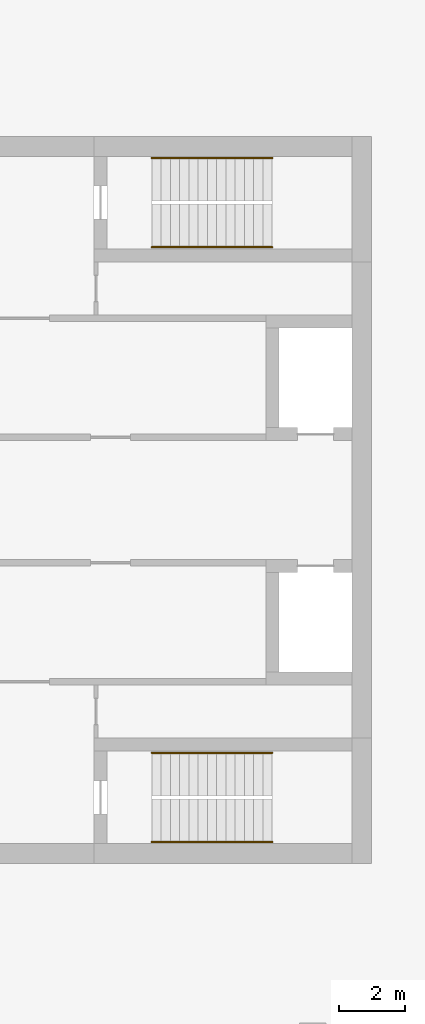
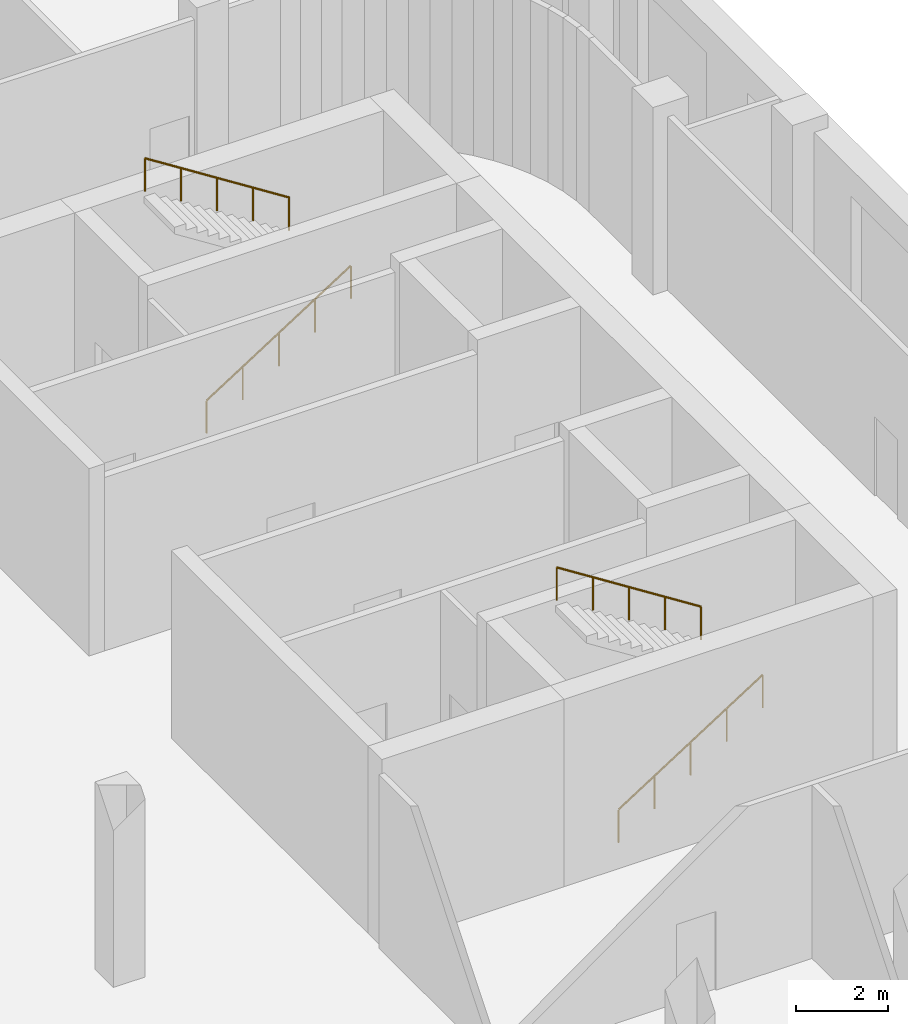
# One storey, part 18 of 18: 4 railings.
"""IFC4 building model written with IfcOpenShell, lengths in metres."""

from ifc_helpers import new_model, si_unit, direction, frame, origin, origin_2d, place, context, subcontext, project, spatial, circle, extrude, material, type_object, element, save


model = new_model("IFC4")

# Units and contexts
model_context = context("Model", 3, precision=1e-05, world=origin(), true_north=direction((0.0, 1.0)))
body_context = subcontext(model_context, "Body", "Model", "MODEL_VIEW")
ifc_project = project(units=[si_unit("LENGTHUNIT", "METRE"), si_unit("AREAUNIT", "SQUARE_METRE"), si_unit("VOLUMEUNIT", "CUBIC_METRE"), si_unit("PLANEANGLEUNIT", "RADIAN"), si_unit("MASSUNIT", "GRAM", prefix="KILO")], contexts=[model_context])

# Site, building, storey
site_placement = place(None, origin())
site = spatial("IfcSite", under=ifc_project, at=site_placement, CompositionType="ELEMENT")
building_placement = place(site_placement, origin())
building = spatial("IfcBuilding", under=site, at=building_placement, Name="Skarvind Civic Tower", CompositionType="ELEMENT")
storey_placement = place(building_placement, frame((0.0, 0.0, 22.5)))
storey = spatial("IfcBuildingStorey", under=building, at=storey_placement, Name="L04", CompositionType="ELEMENT", Elevation=22.5)

# Railings
ifc_material = material(Name="Painted steel handrail", Category="steel")
railing_type = type_object("IfcRailingType", Name="Stair handrail 900", PredefinedType="HANDRAIL", material=ifc_material)
railing_1_placement = place(storey_placement, frame((160.35009765625, 135.64990234375, 0.178466796875)))
element("IfcRailing", 1, at=railing_1_placement, inside=storey, type_object=railing_type, Name="Stair handrail", PredefinedType="HANDRAIL", context=body_context, shape_type="SweptSolid", body=[
    extrude(circle(Radius=0.02392578125, at=origin_2d()), frame((0.0, 0.0, 0.8759765625), z_axis=(0.843111507901, 0.0, 0.53773877045), x_axis=(0.0, 1.0, 0.0)), (0.0, 0.0, 1.0), 4.317138671875),
    extrude(circle(Radius=0.02099609375, at=origin_2d()), origin(), (0.0, 0.0, 1.0), 0.851806640625),
    extrude(circle(Radius=0.02099609375, at=origin_2d()), frame((0.909912109375, 0.0, 0.580322265625)), (0.0, 0.0, 1.0), 0.851806640625),
    extrude(circle(Radius=0.02099609375, at=origin_2d()), frame((1.81982421875, 0.0, 1.16064453125)), (0.0, 0.0, 1.0), 0.851806640625),
    extrude(circle(Radius=0.02099609375, at=origin_2d()), frame((2.72998046875, 0.0, 1.7412109375)), (0.0, 0.0, 1.0), 0.851806640625),
    extrude(circle(Radius=0.02099609375, at=origin_2d()), frame((3.639892578125, 0.0, 2.321533203125)), (0.0, 0.0, 1.0), 0.851806640625),
])
railing_2_placement = place(storey_placement, frame((163.989990234375, 138.35009765625, 2.678466796875)))
element("IfcRailing", 2, at=railing_2_placement, inside=storey, type_object=railing_type, Name="Stair handrail", PredefinedType="HANDRAIL", context=body_context, shape_type="SweptSolid", body=[
    extrude(circle(Radius=0.02392578125, at=origin_2d()), frame((0.0, 0.0, 0.8759765625), z_axis=(-0.843111507901, 0.0, 0.53773877045), x_axis=(0.0, -1.0, 0.0)), (0.0, 0.0, 1.0), 4.317138671875),
    extrude(circle(Radius=0.02099609375, at=origin_2d()), origin(), (0.0, 0.0, 1.0), 0.851806640625),
    extrude(circle(Radius=0.02099609375, at=origin_2d()), frame((-0.909912109375, 0.0, 0.580322265625)), (0.0, 0.0, 1.0), 0.851806640625),
    extrude(circle(Radius=0.02099609375, at=origin_2d()), frame((-1.81982421875, 0.0, 1.16064453125)), (0.0, 0.0, 1.0), 0.851806640625),
    extrude(circle(Radius=0.02099609375, at=origin_2d()), frame((-2.72998046875, 0.0, 1.7412109375)), (0.0, 0.0, 1.0), 0.851806640625),
    extrude(circle(Radius=0.02099609375, at=origin_2d()), frame((-3.639892578125, 0.0, 2.321533203125)), (0.0, 0.0, 1.0), 0.851806640625),
])
railing_3_placement = place(storey_placement, frame((160.35009765625, 117.64990234375, 0.178466796875)))
element("IfcRailing", 3, at=railing_3_placement, inside=storey, type_object=railing_type, Name="Stair handrail", PredefinedType="HANDRAIL", context=body_context, shape_type="SweptSolid", body=[
    extrude(circle(Radius=0.02392578125, at=origin_2d()), frame((0.0, 0.0, 0.8759765625), z_axis=(0.843111507901, 0.0, 0.53773877045), x_axis=(0.0, 1.0, 0.0)), (0.0, 0.0, 1.0), 4.317138671875),
    extrude(circle(Radius=0.02099609375, at=origin_2d()), origin(), (0.0, 0.0, 1.0), 0.851806640625),
    extrude(circle(Radius=0.02099609375, at=origin_2d()), frame((0.909912109375, 0.0, 0.580322265625)), (0.0, 0.0, 1.0), 0.851806640625),
    extrude(circle(Radius=0.02099609375, at=origin_2d()), frame((1.81982421875, 0.0, 1.16064453125)), (0.0, 0.0, 1.0), 0.851806640625),
    extrude(circle(Radius=0.02099609375, at=origin_2d()), frame((2.72998046875, 0.0, 1.7412109375)), (0.0, 0.0, 1.0), 0.851806640625),
    extrude(circle(Radius=0.02099609375, at=origin_2d()), frame((3.639892578125, 0.0, 2.321533203125)), (0.0, 0.0, 1.0), 0.851806640625),
])
railing_4_placement = place(storey_placement, frame((163.989990234375, 120.35009765625, 2.678466796875)))
element("IfcRailing", 4, at=railing_4_placement, inside=storey, type_object=railing_type, Name="Stair handrail", PredefinedType="HANDRAIL", context=body_context, shape_type="SweptSolid", body=[
    extrude(circle(Radius=0.02392578125, at=origin_2d()), frame((0.0, 0.0, 0.8759765625), z_axis=(-0.843111507901, 0.0, 0.53773877045), x_axis=(0.0, -1.0, 0.0)), (0.0, 0.0, 1.0), 4.317138671875),
    extrude(circle(Radius=0.02099609375, at=origin_2d()), origin(), (0.0, 0.0, 1.0), 0.851806640625),
    extrude(circle(Radius=0.02099609375, at=origin_2d()), frame((-0.909912109375, 0.0, 0.580322265625)), (0.0, 0.0, 1.0), 0.851806640625),
    extrude(circle(Radius=0.02099609375, at=origin_2d()), frame((-1.81982421875, 0.0, 1.16064453125)), (0.0, 0.0, 1.0), 0.851806640625),
    extrude(circle(Radius=0.02099609375, at=origin_2d()), frame((-2.72998046875, 0.0, 1.7412109375)), (0.0, 0.0, 1.0), 0.851806640625),
    extrude(circle(Radius=0.02099609375, at=origin_2d()), frame((-3.639892578125, 0.0, 2.321533203125)), (0.0, 0.0, 1.0), 0.851806640625),
])

save(model, "model.ifc")
